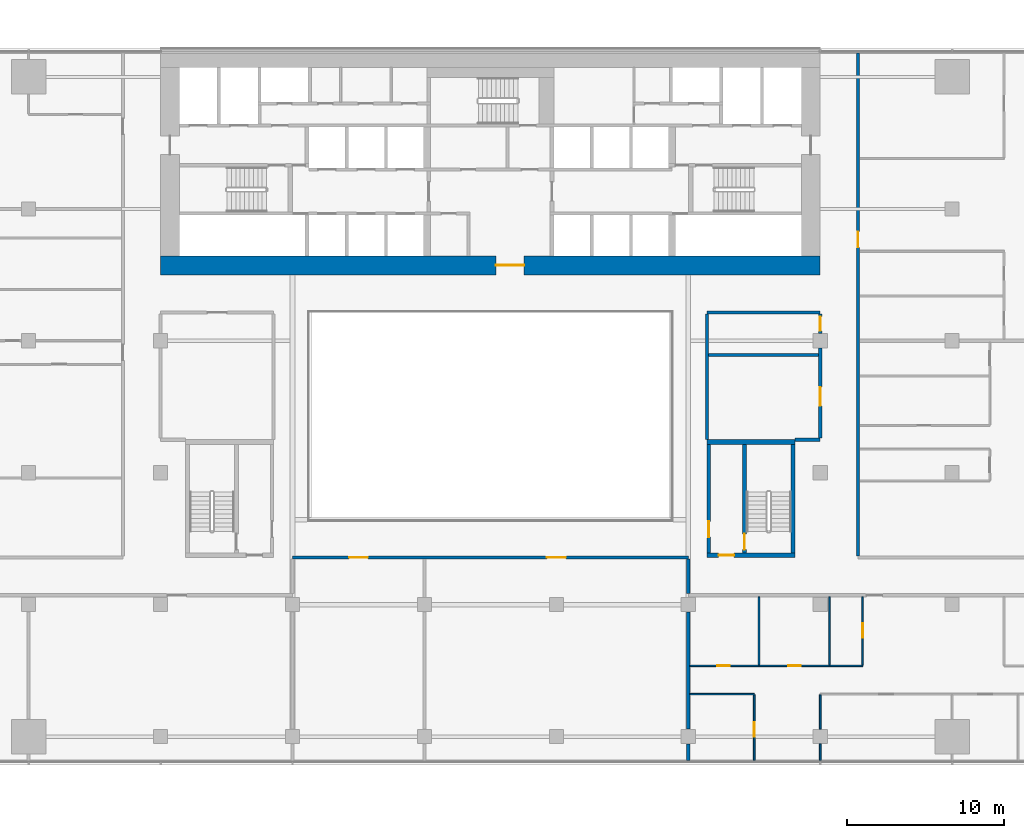
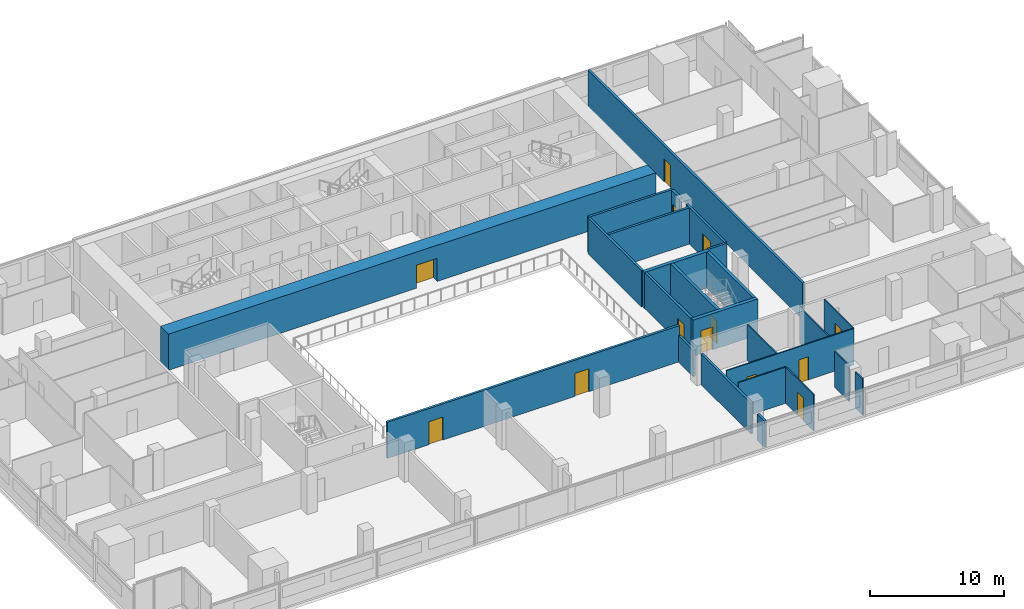
# One storey, part 18 of 25: 25 walls, 13 doors, 13 openings.
"""IFC4 building model written with IfcOpenShell, lengths in metres."""

from ifc_helpers import new_model, si_unit, direction, frame, frame_2d, origin, place, context, subcontext, project, spatial, rectangle, extrude, material, layer, layer_set, type_object, element, fill, save


model = new_model("IFC4")

# Units and contexts
model_context = context("Model", 3, precision=1e-05, world=origin(), true_north=direction((0.0, 1.0)))
body_context = subcontext(model_context, "Body", "Model", "MODEL_VIEW")
ifc_project = project(units=[si_unit("LENGTHUNIT", "METRE"), si_unit("AREAUNIT", "SQUARE_METRE"), si_unit("VOLUMEUNIT", "CUBIC_METRE"), si_unit("PLANEANGLEUNIT", "RADIAN"), si_unit("MASSUNIT", "GRAM", prefix="KILO")], contexts=[model_context])

# Site, building, storey
site_placement = place(None, origin())
site = spatial("IfcSite", under=ifc_project, at=site_placement, CompositionType="ELEMENT")
building_placement = place(site_placement, origin())
building = spatial("IfcBuilding", under=site, at=building_placement, Name="Saffron Gate Tower", CompositionType="ELEMENT")
storey_placement = place(building_placement, frame((0.0, 0.0, 80.39990234375)))
storey = spatial("IfcBuildingStorey", under=building, at=storey_placement, Name="L19", CompositionType="ELEMENT", Elevation=80.39990234375)

# Wall, opening, door
ifc_material_1 = material(Name="Concrete C70", Category="concrete")
ifc_layer_1 = layer(ifc_material_1, 1.199951171875)
ifc_layer_set_1 = layer_set([ifc_layer_1], Name="CW1 RC core wall 1200 C70")
wall_type_1 = type_object("IfcWallType", Name="CW1 RC core wall 1200 C70", PredefinedType="SOLIDWALL", material=ifc_layer_set_1)
wall_1_placement = place(storey_placement, frame((66.60009765625, 61.800048828125, 0.0), z_axis=(0.0, 0.0, 1.0), x_axis=(1.0, 0.0, 0.0)))
wall_1 = element("IfcWall", 1, at=wall_1_placement, inside=storey, type_object=wall_type_1, Name="Wall CW1-L19-1", PredefinedType="SOLIDWALL", context=body_context, shape_type="SweptSolid", body=[
    extrude(rectangle(XDim=42.0, YDim=1.199951171875, at=frame_2d((21.0, 0.0))), origin(), (0.0, 0.0, 1.0), 3.300048828125),
])
opening_1_placement = place(wall_1_placement, frame((21.35009765625, 0.0, 0.0)))
opening_1 = element("IfcOpeningElement", 2, at=opening_1_placement, cuts=wall_1, Name="Opening CR-09", PredefinedType="OPENING", context=body_context, shape_type="SweptSolid", body=[
    extrude(rectangle(XDim=1.800048828125, YDim=2.10009765625, at=frame_2d((0.89990234375, 1.050048828125))), frame((0.0, 0.60986328125, 0.0), z_axis=(0.0, -1.0, 0.0), x_axis=(1.0, 0.0, 0.0)), (0.0, 0.0, 1.0), 1.219970703125),
])
ifc_material_2 = material(Name="Steel fire door set", Category="steel")
door_type_1 = type_object("IfcDoorType", Name="CD1 Core entrance door 1800x2100 EI 120", OperationType="NOTDEFINED", PredefinedType="DOOR", material=ifc_material_2)
door_1_placement = place(opening_1_placement, origin())
door_1 = element("IfcDoor", 3, at=door_1_placement, inside=storey, type_object=door_type_1, Name="DOOR CR-09", OperationType="DOUBLE_DOOR_SINGLE_SWING", OverallHeight=2.10009765625, OverallWidth=1.800048828125, PredefinedType="DOOR", context=body_context, shape_type="SweptSolid", body=[
    extrude(rectangle(XDim=1.800048828125, YDim=2.10009765625, at=frame_2d((0.89990234375, 1.050048828125))), frame((0.0, 0.02490234375, 0.0), z_axis=(0.0, -1.0, 0.0), x_axis=(1.0, 0.0, 0.0)), (0.0, 0.0, 1.0), 0.050048828125),
])
fill(opening_1, door_1)

ifc_material_3 = material(Name="Gypsum board partition on steel studs", Category="steel")
ifc_layer_2 = layer(ifc_material_3, 0.199951171875)
ifc_layer_set_2 = layer_set([ifc_layer_2], Name="CW10 Core partition 200")
wall_type_2 = type_object("IfcWallType", Name="CW10 Core partition 200", PredefinedType="PARTITIONING", material=ifc_layer_set_2)
wall_2_placement = place(storey_placement, frame((101.5, 43.5, 0.0), z_axis=(0.0, 0.0, 1.0), x_axis=(0.0, 1.0, 0.0)))
wall_2 = element("IfcWall", 4, at=wall_2_placement, inside=storey, type_object=wall_type_2, Name="Wall CW10-L19-E-2", PredefinedType="PARTITIONING", context=body_context, shape_type="SweptSolid", body=[
    extrude(rectangle(XDim=6.89990234375, YDim=0.199951171875, at=frame_2d((3.449951171875, 0.0))), origin(), (0.0, 0.0, 1.0), 3.300048828125),
])
opening_2_placement = place(wall_2_placement, frame((1.0, 0.0, 0.0)))
opening_2 = element("IfcOpeningElement", 5, at=opening_2_placement, cuts=wall_2, Name="Opening CR-22", PredefinedType="OPENING", context=body_context, shape_type="SweptSolid", body=[
    extrude(rectangle(XDim=1.0, YDim=2.10009765625, at=frame_2d((0.5, 1.050048828125))), frame((0.0, 0.10986328125, 0.0), z_axis=(0.0, -1.0, 0.0), x_axis=(1.0, 0.0, 0.0)), (0.0, 0.0, 1.0), 0.219970703125),
])
door_type_2 = type_object("IfcDoorType", Name="CD4 Lobby door 1000x2100 EI 120", OperationType="NOTDEFINED", PredefinedType="DOOR", material=ifc_material_2)
door_2_placement = place(opening_2_placement, origin())
door_2 = element("IfcDoor", 6, at=door_2_placement, inside=storey, type_object=door_type_2, Name="DOOR CR-22", OperationType="SINGLE_SWING_LEFT", OverallHeight=2.10009765625, OverallWidth=1.0, PredefinedType="DOOR", context=body_context, shape_type="SweptSolid", body=[
    extrude(rectangle(XDim=1.0, YDim=2.10009765625, at=frame_2d((0.5, 1.050048828125))), frame((0.0, 0.02490234375, 0.0), z_axis=(0.0, -1.0, 0.0), x_axis=(1.0, 0.0, 0.0)), (0.0, 0.0, 1.0), 0.050048828125),
])
fill(opening_2, door_2)

ifc_layer_3 = layer(ifc_material_1, 0.25)
ifc_layer_set_3 = layer_set([ifc_layer_3], Name="CW2 RC core wall 250 C70")
wall_type_3 = type_object("IfcWallType", Name="CW2 RC core wall 250 C70", PredefinedType="SOLIDWALL", material=ifc_layer_set_3)
wall_3_placement = place(storey_placement, frame((103.77490234375, 43.5, 0.0), z_axis=(0.0, 0.0, 1.0), x_axis=(0.0, 1.0, 0.0)))
wall_3 = element("IfcWall", 7, at=wall_3_placement, inside=storey, type_object=wall_type_3, Name="Wall CW2-L19-E-3", PredefinedType="SOLIDWALL", context=body_context, shape_type="SweptSolid", body=[
    extrude(rectangle(XDim=6.89990234375, YDim=0.25, at=frame_2d((3.449951171875, 0.0))), origin(), (0.0, 0.0, 1.0), 3.300048828125),
])
opening_3_placement = place(wall_3_placement, frame((0.199951171875, 0.0, 0.0)))
opening_3 = element("IfcOpeningElement", 8, at=opening_3_placement, cuts=wall_3, Name="Opening CR-23", PredefinedType="OPENING", context=body_context, shape_type="SweptSolid", body=[
    extrude(rectangle(XDim=1.0, YDim=2.10009765625, at=frame_2d((0.5, 1.050048828125))), frame((0.0, 0.135009765625, 0.0), z_axis=(0.0, -1.0, 0.0), x_axis=(1.0, 0.0, 0.0)), (0.0, 0.0, 1.0), 0.27001953125),
])
door_type_3 = type_object("IfcDoorType", Name="CD5 Stair door 1000x2100 EI 120", OperationType="NOTDEFINED", PredefinedType="DOOR", material=ifc_material_2)
door_3_placement = place(opening_3_placement, origin())
door_3 = element("IfcDoor", 9, at=door_3_placement, inside=storey, type_object=door_type_3, Name="DOOR CR-23", OperationType="SINGLE_SWING_RIGHT", OverallHeight=2.10009765625, OverallWidth=1.0, PredefinedType="DOOR", context=body_context, shape_type="SweptSolid", body=[
    extrude(rectangle(XDim=1.0, YDim=2.10009765625, at=frame_2d((0.5, 1.050048828125))), frame((0.0, 0.02490234375, 0.0), z_axis=(0.0, -1.0, 0.0), x_axis=(1.0, 0.0, 0.0)), (0.0, 0.0, 1.0), 0.050048828125),
])
fill(opening_3, door_3)

# Wall
wall_4_placement = place(storey_placement, frame((106.875, 43.5, 0.0), z_axis=(0.0, 0.0, 1.0), x_axis=(0.0, 1.0, 0.0)))
element("IfcWall", 10, at=wall_4_placement, inside=storey, type_object=wall_type_3, Name="Wall CW2-L19-E-4", PredefinedType="SOLIDWALL", context=body_context, shape_type="SweptSolid", body=[
    extrude(rectangle(XDim=6.89990234375, YDim=0.25, at=frame_2d((3.449951171875, 0.0))), origin(), (0.0, 0.0, 1.0), 3.300048828125),
])

# Wall, opening, door
ifc_layer_4 = layer(ifc_material_1, 0.300048828125)
ifc_layer_set_4 = layer_set([ifc_layer_4], Name="CW5 RC core wall 300 C70")
wall_type_4 = type_object("IfcWallType", Name="CW5 RC core wall 300 C70", PredefinedType="SOLIDWALL", material=ifc_layer_set_4)
wall_5_placement = place(storey_placement, frame((101.39990234375, 43.35009765625, 0.0), z_axis=(0.0, 0.0, 1.0), x_axis=(1.0, 0.0, 0.0)))
wall_5 = element("IfcWall", 11, at=wall_5_placement, inside=storey, type_object=wall_type_4, Name="Wall CW5-L19-E-1", PredefinedType="SOLIDWALL", context=body_context, shape_type="SweptSolid", body=[
    extrude(rectangle(XDim=5.60009765625, YDim=0.300048828125, at=frame_2d((2.800048828125, 0.0))), origin(), (0.0, 0.0, 1.0), 3.300048828125),
])
opening_4_placement = place(wall_5_placement, frame((0.72509765625, 0.0, 0.0)))
opening_4 = element("IfcOpeningElement", 12, at=opening_4_placement, cuts=wall_5, Name="Opening CR-21", PredefinedType="OPENING", context=body_context, shape_type="SweptSolid", body=[
    extrude(rectangle(XDim=1.0, YDim=2.10009765625, at=frame_2d((0.5, 1.050048828125))), frame((0.0, 0.16015625, 0.0), z_axis=(0.0, -1.0, 0.0), x_axis=(1.0, 0.0, 0.0)), (0.0, 0.0, 1.0), 0.320068359375),
])
door_4_placement = place(opening_4_placement, origin())
door_4 = element("IfcDoor", 13, at=door_4_placement, inside=storey, type_object=door_type_2, Name="DOOR CR-21", OperationType="SINGLE_SWING_RIGHT", OverallHeight=2.10009765625, OverallWidth=1.0, PredefinedType="DOOR", context=body_context, shape_type="SweptSolid", body=[
    extrude(rectangle(XDim=1.0, YDim=2.10009765625, at=frame_2d((0.5, 1.050048828125))), frame((0.0, 0.02490234375, 0.0), z_axis=(0.0, -1.0, 0.0), x_axis=(1.0, 0.0, 0.0)), (0.0, 0.0, 1.0), 0.050048828125),
])
fill(opening_4, door_4)

# Walls
wall_6_placement = place(storey_placement, frame((101.39990234375, 50.550048828125, 0.0), z_axis=(0.0, 0.0, 1.0), x_axis=(1.0, 0.0, 0.0)))
element("IfcWall", 14, at=wall_6_placement, inside=storey, type_object=wall_type_4, Name="Wall CW5-L19-E-5", PredefinedType="SOLIDWALL", context=body_context, shape_type="SweptSolid", body=[
    extrude(rectangle(XDim=5.60009765625, YDim=0.300048828125, at=frame_2d((2.800048828125, 0.0))), origin(), (0.0, 0.0, 1.0), 3.300048828125),
])
ifc_material_4 = material(Name="Plasterboard on steel studs", Category="steel")
ifc_layer_5 = layer(ifc_material_4, 0.10009765625)
ifc_layer_set_5 = layer_set([ifc_layer_5], Name="PW1 Partition 100")
wall_type_5 = type_object("IfcWallType", Name="PW1 Partition 100", PredefinedType="PARTITIONING", material=ifc_layer_set_5)
wall_7_placement = place(storey_placement, frame((100.300048828125, 34.5, 0.0), z_axis=(0.0, 0.0, 1.0), x_axis=(1.0, 0.0, 0.0)))
element("IfcWall", 15, at=wall_7_placement, inside=storey, type_object=wall_type_5, Name="Partition A5-1", PredefinedType="PARTITIONING", context=body_context, shape_type="SweptSolid", body=[
    extrude(rectangle(XDim=4.099853515625, YDim=0.10009765625, at=frame_2d((2.0498046875, 0.0))), origin(), (0.0, 0.0, 1.0), 3.300048828125),
])

# Wall, openings, doors
wall_8_placement = place(storey_placement, frame((100.300048828125, 36.300048828125, 0.0), z_axis=(0.0, 0.0, 1.0), x_axis=(1.0, 0.0, 0.0)))
wall_8 = element("IfcWall", 16, at=wall_8_placement, inside=storey, type_object=wall_type_5, Name="Partition A5-3", PredefinedType="PARTITIONING", context=body_context, shape_type="SweptSolid", body=[
    extrude(rectangle(XDim=11.0, YDim=0.10009765625, at=frame_2d((5.5, 0.0))), origin(), (0.0, 0.0, 1.0), 3.300048828125),
])
opening_5_placement = place(wall_8_placement, frame((1.75, 0.0, 0.0)))
opening_5 = element("IfcOpeningElement", 17, at=opening_5_placement, cuts=wall_8, Name="Opening A5-26", PredefinedType="OPENING", context=body_context, shape_type="SweptSolid", body=[
    extrude(rectangle(XDim=0.800048828125, YDim=2.10009765625, at=frame_2d((0.39990234375, 1.050048828125))), frame((0.0, 0.06005859375, 0.0), z_axis=(0.0, -1.0, 0.0), x_axis=(1.0, 0.0, 0.0)), (0.0, 0.0, 1.0), 0.1201171875),
])
opening_6_placement = place(wall_8_placement, frame((6.25, 0.0, 0.0)))
opening_6 = element("IfcOpeningElement", 18, at=opening_6_placement, cuts=wall_8, Name="Opening A5-27", PredefinedType="OPENING", context=body_context, shape_type="SweptSolid", body=[
    extrude(rectangle(XDim=0.800048828125, YDim=2.10009765625, at=frame_2d((0.39990234375, 1.050048828125))), frame((0.0, 0.06005859375, 0.0), z_axis=(0.0, -1.0, 0.0), x_axis=(1.0, 0.0, 0.0)), (0.0, 0.0, 1.0), 0.1201171875),
])
ifc_material_5 = material(Name="Timber door set", Category="wood")
door_type_4 = type_object("IfcDoorType", Name="RD2 Bathroom door 800x2100", OperationType="NOTDEFINED", PredefinedType="DOOR", material=ifc_material_5)
door_5_placement = place(opening_5_placement, origin())
door_5 = element("IfcDoor", 19, at=door_5_placement, inside=storey, type_object=door_type_4, Name="Door A5-26", OperationType="SINGLE_SWING_LEFT", OverallHeight=2.10009765625, OverallWidth=0.800048828125, PredefinedType="DOOR", context=body_context, shape_type="SweptSolid", body=[
    extrude(rectangle(XDim=0.800048828125, YDim=2.10009765625, at=frame_2d((0.39990234375, 1.050048828125))), frame((0.0, 0.02490234375, 0.0), z_axis=(0.0, -1.0, 0.0), x_axis=(1.0, 0.0, 0.0)), (0.0, 0.0, 1.0), 0.050048828125),
])
fill(opening_5, door_5)
door_6_placement = place(opening_6_placement, origin())
door_6 = element("IfcDoor", 20, at=door_6_placement, inside=storey, type_object=door_type_4, Name="Door A5-27", OperationType="SINGLE_SWING_RIGHT", OverallHeight=2.10009765625, OverallWidth=0.800048828125, PredefinedType="DOOR", context=body_context, shape_type="SweptSolid", body=[
    extrude(rectangle(XDim=0.800048828125, YDim=2.10009765625, at=frame_2d((0.39990234375, 1.050048828125))), frame((0.0, 0.02490234375, 0.0), z_axis=(0.0, -1.0, 0.0), x_axis=(1.0, 0.0, 0.0)), (0.0, 0.0, 1.0), 0.050048828125),
])
fill(opening_6, door_6)

# Wall, opening, door
wall_9_placement = place(storey_placement, frame((104.39990234375, 30.280029296875, 0.0), z_axis=(0.0, 0.0, 1.0), x_axis=(0.0, 1.0, 0.0)))
wall_9 = element("IfcWall", 21, at=wall_9_placement, inside=storey, type_object=wall_type_5, Name="Partition A5-72", PredefinedType="PARTITIONING", context=body_context, shape_type="SweptSolid", body=[
    extrude(rectangle(XDim=4.169921875, YDim=0.10009765625, at=frame_2d((2.0849609375, 0.0))), origin(), (0.0, 0.0, 1.0), 3.300048828125),
])
opening_7_placement = place(wall_9_placement, frame((1.52001953125, 0.0, 0.0)))
opening_7 = element("IfcOpeningElement", 22, at=opening_7_placement, cuts=wall_9, Name="Opening A5-6", PredefinedType="OPENING", context=body_context, shape_type="SweptSolid", body=[
    extrude(rectangle(XDim=0.89990234375, YDim=2.10009765625, at=frame_2d((0.449951171875, 1.050048828125))), frame((0.0, 0.06005859375, 0.0), z_axis=(0.0, -1.0, 0.0), x_axis=(1.0, 0.0, 0.0)), (0.0, 0.0, 1.0), 0.1201171875),
])
door_type_5 = type_object("IfcDoorType", Name="RD1 Room door 900x2100", OperationType="NOTDEFINED", PredefinedType="DOOR", material=ifc_material_5)
door_7_placement = place(opening_7_placement, origin())
door_7 = element("IfcDoor", 23, at=door_7_placement, inside=storey, type_object=door_type_5, Name="Door A5-6", OperationType="SINGLE_SWING_LEFT", OverallHeight=2.10009765625, OverallWidth=0.89990234375, PredefinedType="DOOR", context=body_context, shape_type="SweptSolid", body=[
    extrude(rectangle(XDim=0.89990234375, YDim=2.10009765625, at=frame_2d((0.449951171875, 1.050048828125))), frame((0.0, 0.02490234375, 0.0), z_axis=(0.0, -1.0, 0.0), x_axis=(1.0, 0.0, 0.0)), (0.0, 0.0, 1.0), 0.050048828125),
])
fill(opening_7, door_7)

# Walls
wall_10_placement = place(storey_placement, frame((104.699951171875, 40.699951171875, 0.0), z_axis=(0.0, 0.0, 1.0), x_axis=(0.0, -1.0, 0.0)))
element("IfcWall", 24, at=wall_10_placement, inside=storey, type_object=wall_type_5, Name="Partition A5-73", PredefinedType="PARTITIONING", context=body_context, shape_type="SweptSolid", body=[
    extrude(rectangle(XDim=4.349853515625, YDim=0.10009765625, at=frame_2d((2.1748046875, 0.0))), origin(), (0.0, 0.0, 1.0), 3.300048828125),
])
wall_11_placement = place(storey_placement, frame((108.60009765625, 31.330078125, 0.0), z_axis=(0.0, 0.0, 1.0), x_axis=(0.0, -1.0, 0.0)))
element("IfcWall", 25, at=wall_11_placement, inside=storey, type_object=wall_type_5, Name="Partition A5-76", PredefinedType="PARTITIONING", context=body_context, shape_type="SweptSolid", body=[
    extrude(rectangle(XDim=1.050048828125, YDim=0.10009765625, at=frame_2d((0.52490234375, 0.0))), origin(), (0.0, 0.0, 1.0), 3.300048828125),
])
wall_12_placement = place(storey_placement, frame((108.60009765625, 34.449951171875, 0.0), z_axis=(0.0, 0.0, 1.0), x_axis=(0.0, -1.0, 0.0)))
element("IfcWall", 26, at=wall_12_placement, inside=storey, type_object=wall_type_5, Name="Partition A5-77", PredefinedType="PARTITIONING", context=body_context, shape_type="SweptSolid", body=[
    extrude(rectangle(XDim=2.179931640625, YDim=0.10009765625, at=frame_2d((1.08984375, 0.0))), origin(), (0.0, 0.0, 1.0), 3.300048828125),
])
wall_13_placement = place(storey_placement, frame((109.199951171875, 40.699951171875, 0.0), z_axis=(0.0, 0.0, 1.0), x_axis=(0.0, -1.0, 0.0)))
element("IfcWall", 27, at=wall_13_placement, inside=storey, type_object=wall_type_5, Name="Partition A5-78", PredefinedType="PARTITIONING", context=body_context, shape_type="SweptSolid", body=[
    extrude(rectangle(XDim=4.349853515625, YDim=0.10009765625, at=frame_2d((2.1748046875, 0.0))), origin(), (0.0, 0.0, 1.0), 3.300048828125),
])

# Wall, opening, door
wall_14_placement = place(storey_placement, frame((111.300048828125, 36.35009765625, 0.0), z_axis=(0.0, 0.0, 1.0), x_axis=(0.0, 1.0, 0.0)))
wall_14 = element("IfcWall", 28, at=wall_14_placement, inside=storey, type_object=wall_type_5, Name="Partition A5-80", PredefinedType="PARTITIONING", context=body_context, shape_type="SweptSolid", body=[
    extrude(rectangle(XDim=4.349853515625, YDim=0.10009765625, at=frame_2d((2.1748046875, 0.0))), origin(), (0.0, 0.0, 1.0), 3.300048828125),
])
opening_8_placement = place(wall_14_placement, frame((1.75, 0.0, 0.0)))
opening_8 = element("IfcOpeningElement", 29, at=opening_8_placement, cuts=wall_14, Name="Opening A5-11", PredefinedType="OPENING", context=body_context, shape_type="SweptSolid", body=[
    extrude(rectangle(XDim=0.89990234375, YDim=2.10009765625, at=frame_2d((0.449951171875, 1.050048828125))), frame((0.0, 0.06005859375, 0.0), z_axis=(0.0, -1.0, 0.0), x_axis=(1.0, 0.0, 0.0)), (0.0, 0.0, 1.0), 0.1201171875),
])
door_8_placement = place(opening_8_placement, origin())
door_8 = element("IfcDoor", 30, at=door_8_placement, inside=storey, type_object=door_type_5, Name="Door A5-11", OperationType="SINGLE_SWING_RIGHT", OverallHeight=2.10009765625, OverallWidth=0.89990234375, PredefinedType="DOOR", context=body_context, shape_type="SweptSolid", body=[
    extrude(rectangle(XDim=0.89990234375, YDim=2.10009765625, at=frame_2d((0.449951171875, 1.050048828125))), frame((0.0, 0.02490234375, 0.0), z_axis=(0.0, -1.0, 0.0), x_axis=(1.0, 0.0, 0.0)), (0.0, 0.0, 1.0), 0.050048828125),
])
fill(opening_8, door_8)

# Wall, openings, doors
ifc_material_6 = material(Name="Clay brick masonry, rendered", Category="masonry")
ifc_layer_6 = layer(ifc_material_6, 0.199951171875)
ifc_layer_set_6 = layer_set([ifc_layer_6], Name="PW3 Corridor wall 200")
wall_type_6 = type_object("IfcWallType", Name="PW3 Corridor wall 200", PredefinedType="PARTITIONING", material=ifc_layer_set_6)
wall_15_placement = place(storey_placement, frame((100.199951171875, 43.199951171875, 0.0), z_axis=(0.0, 0.0, 1.0), x_axis=(-1.0, 0.0, 0.0)))
wall_15 = element("IfcWall", 31, at=wall_15_placement, inside=storey, type_object=wall_type_6, Name="Wall A5-10", PredefinedType="PARTITIONING", context=body_context, shape_type="SweptSolid", body=[
    extrude(rectangle(XDim=25.199951171875, YDim=0.199951171875, at=frame_2d((12.60009765625, 0.0))), origin(), (0.0, 0.0, 1.0), 3.300048828125),
])
opening_9_placement = place(wall_15_placement, frame((7.800048828125, 0.0, 0.0)))
opening_9 = element("IfcOpeningElement", 32, at=opening_9_placement, cuts=wall_15, Name="Opening A5-36", PredefinedType="OPENING", context=body_context, shape_type="SweptSolid", body=[
    extrude(rectangle(XDim=1.199951171875, YDim=2.10009765625, at=frame_2d((0.60009765625, 1.050048828125))), frame((0.0, 0.10986328125, 0.0), z_axis=(0.0, -1.0, 0.0), x_axis=(1.0, 0.0, 0.0)), (0.0, 0.0, 1.0), 0.219970703125),
])
opening_10_placement = place(wall_15_placement, frame((20.39990234375, 0.0, 0.0)))
opening_10 = element("IfcOpeningElement", 33, at=opening_10_placement, cuts=wall_15, Name="Opening A5-35", PredefinedType="OPENING", context=body_context, shape_type="SweptSolid", body=[
    extrude(rectangle(XDim=1.199951171875, YDim=2.10009765625, at=frame_2d((0.60009765625, 1.050048828125))), frame((0.0, 0.10986328125, 0.0), z_axis=(0.0, -1.0, 0.0), x_axis=(1.0, 0.0, 0.0)), (0.0, 0.0, 1.0), 0.219970703125),
])
door_type_6 = type_object("IfcDoorType", Name="HD1 Hall door 1200x2100", OperationType="NOTDEFINED", PredefinedType="DOOR", material=ifc_material_5)
door_9_placement = place(opening_9_placement, origin())
door_9 = element("IfcDoor", 34, at=door_9_placement, inside=storey, type_object=door_type_6, Name="Door A5-36", OperationType="SINGLE_SWING_LEFT", OverallHeight=2.10009765625, OverallWidth=1.199951171875, PredefinedType="DOOR", context=body_context, shape_type="SweptSolid", body=[
    extrude(rectangle(XDim=1.199951171875, YDim=2.10009765625, at=frame_2d((0.60009765625, 1.050048828125))), frame((0.0, 0.02490234375, 0.0), z_axis=(0.0, -1.0, 0.0), x_axis=(1.0, 0.0, 0.0)), (0.0, 0.0, 1.0), 0.050048828125),
])
fill(opening_9, door_9)
door_10_placement = place(opening_10_placement, origin())
door_10 = element("IfcDoor", 35, at=door_10_placement, inside=storey, type_object=door_type_6, Name="Door A5-35", OperationType="SINGLE_SWING_LEFT", OverallHeight=2.10009765625, OverallWidth=1.199951171875, PredefinedType="DOOR", context=body_context, shape_type="SweptSolid", body=[
    extrude(rectangle(XDim=1.199951171875, YDim=2.10009765625, at=frame_2d((0.60009765625, 1.050048828125))), frame((0.0, 0.02490234375, 0.0), z_axis=(0.0, -1.0, 0.0), x_axis=(1.0, 0.0, 0.0)), (0.0, 0.0, 1.0), 0.050048828125),
])
fill(opening_10, door_10)

# Walls
wall_16_placement = place(storey_placement, frame((107.0, 50.699951171875, 0.0), z_axis=(0.0, 0.0, 1.0), x_axis=(1.0, 0.0, 0.0)))
element("IfcWall", 36, at=wall_16_placement, inside=storey, type_object=wall_type_6, Name="Wall A5-21", PredefinedType="PARTITIONING", context=body_context, shape_type="SweptSolid", body=[
    extrude(rectangle(XDim=1.60009765625, YDim=0.199951171875, at=frame_2d((0.800048828125, 0.0))), origin(), (0.0, 0.0, 1.0), 3.300048828125),
])
wall_17_placement = place(storey_placement, frame((101.39990234375, 58.800048828125, 0.0), z_axis=(0.0, 0.0, 1.0), x_axis=(1.0, 0.0, 0.0)))
element("IfcWall", 37, at=wall_17_placement, inside=storey, type_object=wall_type_6, Name="Wall A5-33", PredefinedType="PARTITIONING", context=body_context, shape_type="SweptSolid", body=[
    extrude(rectangle(XDim=7.2001953125, YDim=0.199951171875, at=frame_2d((3.60009765625, 0.0))), origin(), (0.0, 0.0, 1.0), 3.300048828125),
])
wall_18_placement = place(storey_placement, frame((100.199951171875, 43.10009765625, 0.0), z_axis=(0.0, 0.0, 1.0), x_axis=(0.0, -1.0, 0.0)))
element("IfcWall", 38, at=wall_18_placement, inside=storey, type_object=wall_type_6, Name="Wall A5-68", PredefinedType="PARTITIONING", context=body_context, shape_type="SweptSolid", body=[
    extrude(rectangle(XDim=2.2001953125, YDim=0.199951171875, at=frame_2d((1.10009765625, 0.0))), origin(), (0.0, 0.0, 1.0), 2.41015625),
])
wall_19_placement = place(storey_placement, frame((101.39990234375, 58.699951171875, 0.0), z_axis=(0.0, 0.0, 1.0), x_axis=(0.0, -1.0, 0.0)))
element("IfcWall", 39, at=wall_19_placement, inside=storey, type_object=wall_type_6, Name="Wall A5-71", PredefinedType="PARTITIONING", context=body_context, shape_type="SweptSolid", body=[
    extrude(rectangle(XDim=8.0, YDim=0.199951171875, at=frame_2d((4.0, 0.0))), origin(), (0.0, 0.0, 1.0), 3.300048828125),
])

# Wall, opening, door
wall_20_placement = place(storey_placement, frame((108.60009765625, 50.800048828125, 0.0), z_axis=(0.0, 0.0, 1.0), x_axis=(0.0, 1.0, 0.0)))
wall_20 = element("IfcWall", 40, at=wall_20_placement, inside=storey, type_object=wall_type_6, Name="Wall A5-74", PredefinedType="PARTITIONING", context=body_context, shape_type="SweptSolid", body=[
    extrude(rectangle(XDim=5.72998046875, YDim=0.199951171875, at=frame_2d((2.864990234375, 0.0))), origin(), (0.0, 0.0, 1.0), 3.300048828125),
])
opening_11_placement = place(wall_20_placement, frame((2.050048828125, 0.0, 0.0)))
opening_11 = element("IfcOpeningElement", 41, at=opening_11_placement, cuts=wall_20, Name="Opening A5-34", PredefinedType="OPENING", context=body_context, shape_type="SweptSolid", body=[
    extrude(rectangle(XDim=1.199951171875, YDim=2.10009765625, at=frame_2d((0.60009765625, 1.050048828125))), frame((0.0, 0.10986328125, 0.0), z_axis=(0.0, -1.0, 0.0), x_axis=(1.0, 0.0, 0.0)), (0.0, 0.0, 1.0), 0.219970703125),
])
door_11_placement = place(opening_11_placement, origin())
door_11 = element("IfcDoor", 42, at=door_11_placement, inside=storey, type_object=door_type_6, Name="Door A5-34", OperationType="SINGLE_SWING_RIGHT", OverallHeight=2.10009765625, OverallWidth=1.199951171875, PredefinedType="DOOR", context=body_context, shape_type="SweptSolid", body=[
    extrude(rectangle(XDim=1.199951171875, YDim=2.10009765625, at=frame_2d((0.60009765625, 1.050048828125))), frame((0.0, 0.02490234375, 0.0), z_axis=(0.0, -1.0, 0.0), x_axis=(1.0, 0.0, 0.0)), (0.0, 0.0, 1.0), 0.050048828125),
])
fill(opening_11, door_11)

wall_21_placement = place(storey_placement, frame((108.60009765625, 57.469970703125, 0.0), z_axis=(0.0, 0.0, 1.0), x_axis=(0.0, 1.0, 0.0)))
wall_21 = element("IfcWall", 43, at=wall_21_placement, inside=storey, type_object=wall_type_6, Name="Wall A5-75", PredefinedType="PARTITIONING", context=body_context, shape_type="SweptSolid", body=[
    extrude(rectangle(XDim=1.22998046875, YDim=0.199951171875, at=frame_2d((0.614990234375, 0.0))), origin(), (0.0, 0.0, 1.0), 3.300048828125),
])
opening_12_placement = place(wall_21_placement, frame((0.1650390625, 0.0, 0.0)))
opening_12 = element("IfcOpeningElement", 44, at=opening_12_placement, cuts=wall_21, Name="Opening A5-25", PredefinedType="OPENING", context=body_context, shape_type="SweptSolid", body=[
    extrude(rectangle(XDim=0.89990234375, YDim=2.10009765625, at=frame_2d((0.449951171875, 1.050048828125))), frame((0.0, 0.10986328125, 0.0), z_axis=(0.0, -1.0, 0.0), x_axis=(1.0, 0.0, 0.0)), (0.0, 0.0, 1.0), 0.219970703125),
])
door_12_placement = place(opening_12_placement, origin())
door_12 = element("IfcDoor", 45, at=door_12_placement, inside=storey, type_object=door_type_5, Name="Door A5-25", OperationType="SINGLE_SWING_RIGHT", OverallHeight=2.10009765625, OverallWidth=0.89990234375, PredefinedType="DOOR", context=body_context, shape_type="SweptSolid", body=[
    extrude(rectangle(XDim=0.89990234375, YDim=2.10009765625, at=frame_2d((0.449951171875, 1.050048828125))), frame((0.0, 0.02490234375, 0.0), z_axis=(0.0, -1.0, 0.0), x_axis=(1.0, 0.0, 0.0)), (0.0, 0.0, 1.0), 0.050048828125),
])
fill(opening_12, door_12)

wall_22_placement = place(storey_placement, frame((111.0, 75.320068359375, 0.0), z_axis=(0.0, 0.0, 1.0), x_axis=(0.0, -1.0, 0.0)))
wall_22 = element("IfcWall", 46, at=wall_22_placement, inside=storey, type_object=wall_type_6, Name="Wall A5-79", PredefinedType="PARTITIONING", context=body_context, shape_type="SweptSolid", body=[
    extrude(rectangle(XDim=32.02001953125, YDim=0.199951171875, at=frame_2d((16.010009765625, 0.0))), origin(), (0.0, 0.0, 1.0), 3.300048828125),
])
opening_13_placement = place(wall_22_placement, frame((11.3701171875, 0.0, 0.0)))
opening_13 = element("IfcOpeningElement", 47, at=opening_13_placement, cuts=wall_22, Name="Opening A5-5", PredefinedType="OPENING", context=body_context, shape_type="SweptSolid", body=[
    extrude(rectangle(XDim=1.0, YDim=2.10009765625, at=frame_2d((0.5, 1.050048828125))), frame((0.0, 0.10986328125, 0.0), z_axis=(0.0, -1.0, 0.0), x_axis=(1.0, 0.0, 0.0)), (0.0, 0.0, 1.0), 0.219970703125),
])
ifc_material_7 = material(Name="Timber fire door set", Category="wood")
door_type_7 = type_object("IfcDoorType", Name="FD1 Flat entry door 1000x2100", OperationType="NOTDEFINED", PredefinedType="DOOR", material=ifc_material_7)
door_13_placement = place(opening_13_placement, origin())
door_13 = element("IfcDoor", 48, at=door_13_placement, inside=storey, type_object=door_type_7, Name="Door A5-5", OperationType="SINGLE_SWING_LEFT", OverallHeight=2.10009765625, OverallWidth=1.0, PredefinedType="DOOR", context=body_context, shape_type="SweptSolid", body=[
    extrude(rectangle(XDim=1.0, YDim=2.10009765625, at=frame_2d((0.5, 1.050048828125))), frame((0.0, 0.02490234375, 0.0), z_axis=(0.0, -1.0, 0.0), x_axis=(1.0, 0.0, 0.0)), (0.0, 0.0, 1.0), 0.050048828125),
])
fill(opening_13, door_13)

# Walls
ifc_layer_7 = layer(ifc_material_6, 0.199951171875)
ifc_layer_set_7 = layer_set([ifc_layer_7], Name="PW5 Room wall 200")
wall_type_7 = type_object("IfcWallType", Name="PW5 Room wall 200", PredefinedType="PARTITIONING", material=ifc_layer_set_7)
wall_23_placement = place(storey_placement, frame((101.5, 56.10009765625, 0.0), z_axis=(0.0, 0.0, 1.0), x_axis=(1.0, 0.0, 0.0)))
element("IfcWall", 49, at=wall_23_placement, inside=storey, type_object=wall_type_7, Name="Wall A5-26", PredefinedType="PARTITIONING", context=body_context, shape_type="SweptSolid", body=[
    extrude(rectangle(XDim=7.0, YDim=0.199951171875, at=frame_2d((3.5, 0.0))), origin(), (0.0, 0.0, 1.0), 3.300048828125),
])
wall_24_placement = place(storey_placement, frame((100.199951171875, 31.330078125, 0.0), z_axis=(0.0, 0.0, 1.0), x_axis=(0.0, -1.0, 0.0)))
element("IfcWall", 50, at=wall_24_placement, inside=storey, type_object=wall_type_7, Name="Wall A5-69", PredefinedType="PARTITIONING", context=body_context, shape_type="SweptSolid", body=[
    extrude(rectangle(XDim=1.050048828125, YDim=0.199951171875, at=frame_2d((0.52490234375, 0.0))), origin(), (0.0, 0.0, 1.0), 2.41015625),
])
wall_25_placement = place(storey_placement, frame((100.199951171875, 39.72998046875, 0.0), z_axis=(0.0, 0.0, 1.0), x_axis=(0.0, -1.0, 0.0)))
element("IfcWall", 51, at=wall_25_placement, inside=storey, type_object=wall_type_7, Name="Wall A5-70", PredefinedType="PARTITIONING", context=body_context, shape_type="SweptSolid", body=[
    extrude(rectangle(XDim=7.4599609375, YDim=0.199951171875, at=frame_2d((3.72998046875, 0.0))), origin(), (0.0, 0.0, 1.0), 2.81005859375),
])

save(model, "model.ifc")
